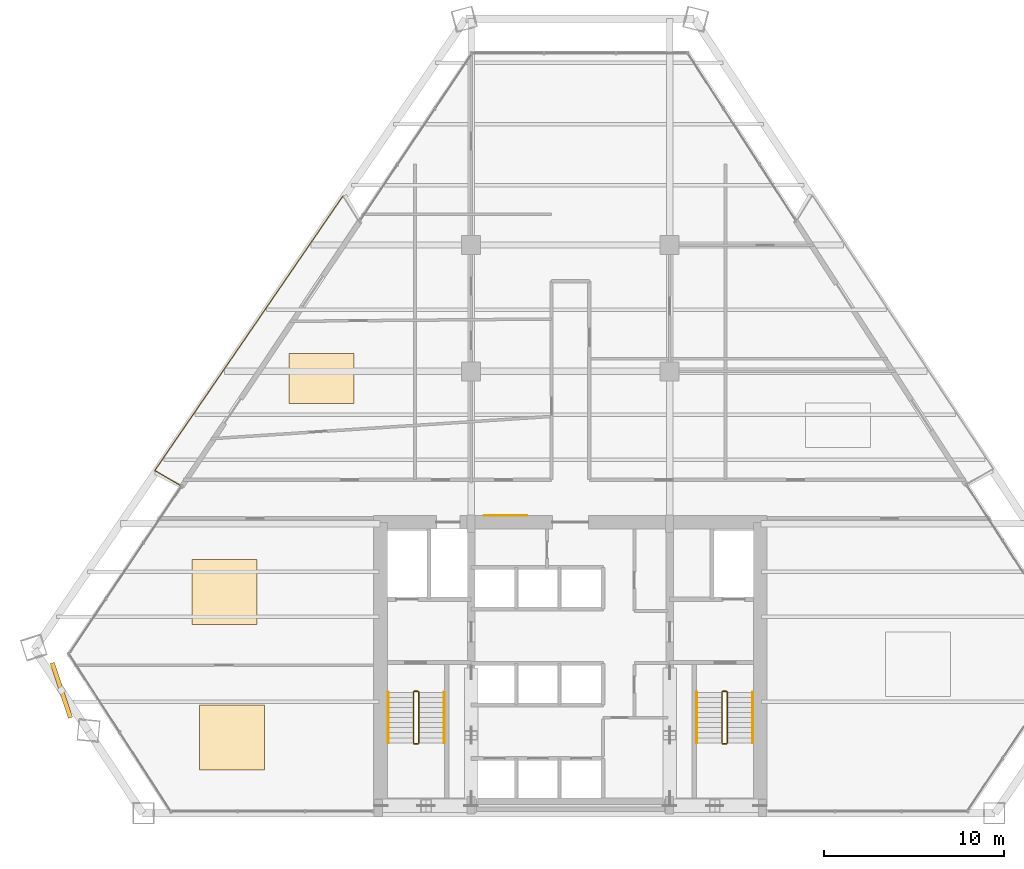
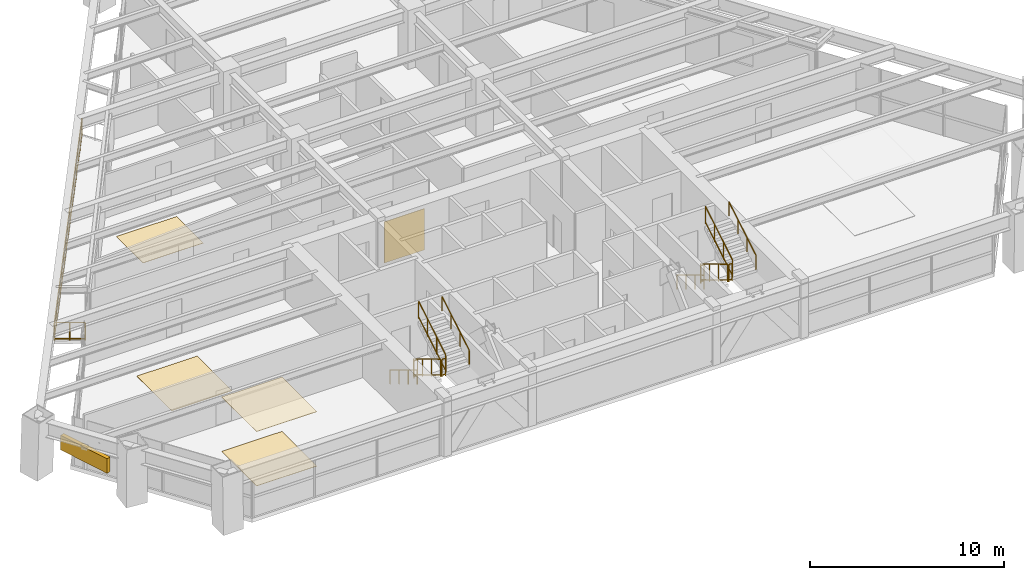
# One storey, part 13 of 14: 14 railings, 5 coverings, 1 shading device.
"""IFC4 building model written with IfcOpenShell, lengths in metres."""

from ifc_helpers import new_model, si_unit, direction, frame, origin, origin_2d, place, context, subcontext, project, spatial, rectangle, extrude, source, transform, mapped, material, layer, layer_set, type_object, type_shapes, element, save


model = new_model("IFC4")

# Units and contexts
model_context = context("Model", 3, precision=1e-05, world=origin(), true_north=direction((0.0, 1.0)))
body_context = subcontext(model_context, "Body", "Model", "MODEL_VIEW")
ifc_project = project(units=[si_unit("LENGTHUNIT", "METRE"), si_unit("AREAUNIT", "SQUARE_METRE"), si_unit("VOLUMEUNIT", "CUBIC_METRE"), si_unit("PLANEANGLEUNIT", "RADIAN"), si_unit("MASSUNIT", "GRAM", prefix="KILO")], contexts=[model_context])

# Site, building, storey
site_placement = place(None, origin())
site = spatial("IfcSite", under=ifc_project, at=site_placement, CompositionType="ELEMENT")
building_placement = place(site_placement, origin())
building = spatial("IfcBuilding", under=site, at=building_placement, Name="Varnakhor Terracotta Tower", CompositionType="ELEMENT")
storey_placement = place(building_placement, frame((0.0, 0.0, 98.800048828125)))
storey = spatial("IfcBuildingStorey", under=building, at=storey_placement, Name="L24", CompositionType="ELEMENT", Elevation=98.800048828125)

# Railings
ifc_material_1 = material(Name="Stainless Steel & Laminated Glass Guardrail", Category="steel")
railing_type_1 = type_object("IfcRailingType", Name="RLG-LOGGIA-GUARD-1150", PredefinedType="GUARDRAIL", material=ifc_material_1)
railing_1_placement = place(storey_placement, frame((-21.649658203125, 18.196044921875, 0.0)))
element("IfcRailing", 1, at=railing_1_placement, inside=storey, type_object=railing_type_1, Name="L24 W Loggia Glass Guard 1", PredefinedType="GUARDRAIL", context=body_context, shape_type="SweptSolid", body=[
    extrude(rectangle(XDim=0.048095703125, YDim=0.048095703125, at=origin_2d()), frame((0.0, 0.0, 1.1259765625), z_axis=(-0.863695972949, 0.504013160851, 0.0), x_axis=(-0.504013160851, -0.863695972949, 0.0)), (0.0, 0.0, 1.0), 1.601806640625),
    extrude(rectangle(XDim=0.048095703125, YDim=0.048095703125, at=origin_2d()), frame((0.0, 0.0, 0.10009765625), z_axis=(-0.863695972949, 0.504013160851, 0.0), x_axis=(-0.504013160851, -0.863695972949, 0.0)), (0.0, 0.0, 1.0), 1.601806640625),
    extrude(rectangle(XDim=0.0419921875, YDim=0.0419921875, at=origin_2d()), origin(), (0.0, 0.0, 1.0), 1.101806640625),
    extrude(rectangle(XDim=0.0419921875, YDim=0.0419921875, at=origin_2d()), frame((-0.69189453125, 0.40380859375, 0.0)), (0.0, 0.0, 1.0), 1.101806640625),
    extrude(rectangle(XDim=0.0419921875, YDim=0.0419921875, at=origin_2d()), frame((-1.383544921875, 0.807373046875, 0.0)), (0.0, 0.0, 1.0), 1.101806640625),
])
railing_2_placement = place(storey_placement, frame((-23.033203125, 19.00341796875, 0.0)))
element("IfcRailing", 2, at=railing_2_placement, inside=storey, type_object=railing_type_1, Name="L24 W Loggia Glass Guard 2", PredefinedType="GUARDRAIL", context=body_context, shape_type="SweptSolid", body=[
    extrude(rectangle(XDim=0.048095703125, YDim=0.048095703125, at=origin_2d()), frame((0.0, 0.0, 1.1259765625), z_axis=(0.565318177251, 0.824872934742, 0.0), x_axis=(-0.824872934742, 0.565318177251, 0.0)), (0.0, 0.0, 1.0), 18.444580078125),
    extrude(rectangle(XDim=0.048095703125, YDim=0.048095703125, at=origin_2d()), frame((0.0, 0.0, 0.10009765625), z_axis=(0.565318177251, 0.824872934742, 0.0), x_axis=(-0.824872934742, 0.565318177251, 0.0)), (0.0, 0.0, 1.0), 18.444580078125),
    extrude(rectangle(XDim=0.0419921875, YDim=0.0419921875, at=origin_2d()), origin(), (0.0, 0.0, 1.0), 1.101806640625),
    extrude(rectangle(XDim=0.0419921875, YDim=0.0419921875, at=origin_2d()), frame((0.744873046875, 1.086669921875, 0.0)), (0.0, 0.0, 1.0), 1.101806640625),
    extrude(rectangle(XDim=0.0419921875, YDim=0.0419921875, at=origin_2d()), frame((1.489501953125, 2.173583984375, 0.0)), (0.0, 0.0, 1.0), 1.101806640625),
    extrude(rectangle(XDim=0.0419921875, YDim=0.0419921875, at=origin_2d()), frame((2.234375, 3.26025390625, 0.0)), (0.0, 0.0, 1.0), 1.101806640625),
    extrude(rectangle(XDim=0.0419921875, YDim=0.0419921875, at=origin_2d()), frame((2.979248046875, 4.346923828125, 0.0)), (0.0, 0.0, 1.0), 1.101806640625),
    extrude(rectangle(XDim=0.0419921875, YDim=0.0419921875, at=origin_2d()), frame((3.723876953125, 5.43359375, 0.0)), (0.0, 0.0, 1.0), 1.101806640625),
    extrude(rectangle(XDim=0.0419921875, YDim=0.0419921875, at=origin_2d()), frame((4.46875, 6.5205078125, 0.0)), (0.0, 0.0, 1.0), 1.101806640625),
    extrude(rectangle(XDim=0.0419921875, YDim=0.0419921875, at=origin_2d()), frame((5.21337890625, 7.607177734375, 0.0)), (0.0, 0.0, 1.0), 1.101806640625),
    extrude(rectangle(XDim=0.0419921875, YDim=0.0419921875, at=origin_2d()), frame((5.958251953125, 8.69384765625, 0.0)), (0.0, 0.0, 1.0), 1.101806640625),
    extrude(rectangle(XDim=0.0419921875, YDim=0.0419921875, at=origin_2d()), frame((6.703125, 9.78076171875, 0.0)), (0.0, 0.0, 1.0), 1.101806640625),
    extrude(rectangle(XDim=0.0419921875, YDim=0.0419921875, at=origin_2d()), frame((7.44775390625, 10.867431640625, 0.0)), (0.0, 0.0, 1.0), 1.101806640625),
    extrude(rectangle(XDim=0.0419921875, YDim=0.0419921875, at=origin_2d()), frame((8.192626953125, 11.9541015625, 0.0)), (0.0, 0.0, 1.0), 1.101806640625),
    extrude(rectangle(XDim=0.0419921875, YDim=0.0419921875, at=origin_2d()), frame((8.9375, 13.040771484375, 0.0)), (0.0, 0.0, 1.0), 1.101806640625),
    extrude(rectangle(XDim=0.0419921875, YDim=0.0419921875, at=origin_2d()), frame((9.68212890625, 14.127685546875, 0.0)), (0.0, 0.0, 1.0), 1.101806640625),
    extrude(rectangle(XDim=0.0419921875, YDim=0.0419921875, at=origin_2d()), frame((10.427001953125, 15.21435546875, 0.0)), (0.0, 0.0, 1.0), 1.101806640625),
])
ifc_material_2 = material(Name="Painted Steel Stairwell Guardrail", Category="steel")
railing_type_2 = type_object("IfcRailingType", Name="RLG-STAIR-GUARD-1120", PredefinedType="GUARDRAIL", material=ifc_material_2)
railing_3_placement = place(storey_placement, frame((-8.699951171875, 6.7099609375, 0.168212890625)))
element("IfcRailing", 3, at=railing_3_placement, inside=storey, type_object=railing_type_2, Name="L24 ST-1 stair guard 1", PredefinedType="GUARDRAIL", context=body_context, shape_type="SweptSolid", body=[
    extrude(rectangle(XDim=0.048095703125, YDim=0.048095703125, at=origin_2d()), frame((0.0, 0.0, 1.09619140625), z_axis=(0.0, -0.857275202839, 0.514858452973), x_axis=(1.0, 0.0, 0.0)), (0.0, 0.0, 1.0), 3.26611328125),
    extrude(rectangle(XDim=0.048095703125, YDim=0.048095703125, at=origin_2d()), frame((0.0, 0.0, 0.10009765625), z_axis=(0.0, -0.857275202839, 0.514858452973), x_axis=(1.0, 0.0, 0.0)), (0.0, 0.0, 1.0), 3.26611328125),
    extrude(rectangle(XDim=0.0419921875, YDim=0.0419921875, at=origin_2d()), origin(), (0.0, 0.0, 1.0), 1.072021484375),
    extrude(rectangle(XDim=0.0419921875, YDim=0.0419921875, at=origin_2d()), frame((0.0, -0.933349609375, 0.560546875)), (0.0, 0.0, 1.0), 1.072021484375),
    extrude(rectangle(XDim=0.0419921875, YDim=0.0419921875, at=origin_2d()), frame((0.0, -1.86669921875, 1.12109375)), (0.0, 0.0, 1.0), 1.072021484375),
    extrude(rectangle(XDim=0.0419921875, YDim=0.0419921875, at=origin_2d()), frame((0.0, -2.800048828125, 1.681640625)), (0.0, 0.0, 1.0), 1.072021484375),
])
railing_4_placement = place(storey_placement, frame((-8.64990234375, 3.860107421875, 1.849853515625)))
element("IfcRailing", 4, at=railing_4_placement, inside=storey, type_object=railing_type_2, Name="L24 ST-1 stair guard 2", PredefinedType="GUARDRAIL", context=body_context, shape_type="SweptSolid", body=[
    extrude(rectangle(XDim=0.048095703125, YDim=0.048095703125, at=origin_2d()), frame((0.0, 0.0, 1.09619140625), z_axis=(1.0, 0.0, 0.0), x_axis=(0.0, 1.0, 0.0)), (0.0, 0.0, 1.0), 0.199951171875),
    extrude(rectangle(XDim=0.048095703125, YDim=0.048095703125, at=origin_2d()), frame((0.0, 0.0, 0.10009765625), z_axis=(1.0, 0.0, 0.0), x_axis=(0.0, 1.0, 0.0)), (0.0, 0.0, 1.0), 0.199951171875),
    extrude(rectangle(XDim=0.0419921875, YDim=0.0419921875, at=origin_2d()), origin(), (0.0, 0.0, 1.0), 1.072021484375),
    extrude(rectangle(XDim=0.0419921875, YDim=0.0419921875, at=origin_2d()), frame((0.199951171875, 0.0, 0.0)), (0.0, 0.0, 1.0), 1.072021484375),
])
railing_5_placement = place(storey_placement, frame((-8.39990234375, 3.909912109375, 2.01806640625)))
element("IfcRailing", 5, at=railing_5_placement, inside=storey, type_object=railing_type_2, Name="L24 ST-1 stair guard 3", PredefinedType="GUARDRAIL", context=body_context, shape_type="SweptSolid", body=[
    extrude(rectangle(XDim=0.048095703125, YDim=0.048095703125, at=origin_2d()), frame((0.0, 0.0, 1.09619140625), z_axis=(0.0, 0.857242210791, 0.514913383045), x_axis=(-1.0, 0.0, 0.0)), (0.0, 0.0, 1.0), 3.266357421875),
    extrude(rectangle(XDim=0.048095703125, YDim=0.048095703125, at=origin_2d()), frame((0.0, 0.0, 0.10009765625), z_axis=(0.0, 0.857242210791, 0.514913383045), x_axis=(-1.0, 0.0, 0.0)), (0.0, 0.0, 1.0), 3.266357421875),
    extrude(rectangle(XDim=0.0419921875, YDim=0.0419921875, at=origin_2d()), origin(), (0.0, 0.0, 1.0), 1.072021484375),
    extrude(rectangle(XDim=0.0419921875, YDim=0.0419921875, at=origin_2d()), frame((0.0, 0.933349609375, 0.560546875)), (0.0, 0.0, 1.0), 1.072021484375),
    extrude(rectangle(XDim=0.0419921875, YDim=0.0419921875, at=origin_2d()), frame((0.0, 1.86669921875, 1.121337890625)), (0.0, 0.0, 1.0), 1.072021484375),
    extrude(rectangle(XDim=0.0419921875, YDim=0.0419921875, at=origin_2d()), frame((0.0, 2.800048828125, 1.681884765625)), (0.0, 0.0, 1.0), 1.072021484375),
])
railing_6_placement = place(storey_placement, frame((-8.64990234375, 6.760009765625, 0.0)))
element("IfcRailing", 6, at=railing_6_placement, inside=storey, type_object=railing_type_2, Name="L24 ST-1 stair guard 4", PredefinedType="GUARDRAIL", context=body_context, shape_type="SweptSolid", body=[
    extrude(rectangle(XDim=0.048095703125, YDim=0.048095703125, at=origin_2d()), frame((0.0, 0.0, 1.09619140625), z_axis=(1.0, 0.0, 0.0), x_axis=(0.0, 1.0, 0.0)), (0.0, 0.0, 1.0), 0.199951171875),
    extrude(rectangle(XDim=0.048095703125, YDim=0.048095703125, at=origin_2d()), frame((0.0, 0.0, 0.10009765625), z_axis=(1.0, 0.0, 0.0), x_axis=(0.0, 1.0, 0.0)), (0.0, 0.0, 1.0), 0.199951171875),
    extrude(rectangle(XDim=0.0419921875, YDim=0.0419921875, at=origin_2d()), origin(), (0.0, 0.0, 1.0), 1.072021484375),
    extrude(rectangle(XDim=0.0419921875, YDim=0.0419921875, at=origin_2d()), frame((0.199951171875, 0.0, 0.0)), (0.0, 0.0, 1.0), 1.072021484375),
])
railing_7_placement = place(storey_placement, frame((8.39990234375, 6.7099609375, 0.168212890625)))
element("IfcRailing", 7, at=railing_7_placement, inside=storey, type_object=railing_type_2, Name="L24 ST-2 stair guard 1", PredefinedType="GUARDRAIL", context=body_context, shape_type="SweptSolid", body=[
    extrude(rectangle(XDim=0.048095703125, YDim=0.048095703125, at=origin_2d()), frame((0.0, 0.0, 1.09619140625), z_axis=(0.0, -0.857275202839, 0.514858452973), x_axis=(1.0, 0.0, 0.0)), (0.0, 0.0, 1.0), 3.26611328125),
    extrude(rectangle(XDim=0.048095703125, YDim=0.048095703125, at=origin_2d()), frame((0.0, 0.0, 0.10009765625), z_axis=(0.0, -0.857275202839, 0.514858452973), x_axis=(1.0, 0.0, 0.0)), (0.0, 0.0, 1.0), 3.26611328125),
    extrude(rectangle(XDim=0.0419921875, YDim=0.0419921875, at=origin_2d()), origin(), (0.0, 0.0, 1.0), 1.072021484375),
    extrude(rectangle(XDim=0.0419921875, YDim=0.0419921875, at=origin_2d()), frame((0.0, -0.933349609375, 0.560546875)), (0.0, 0.0, 1.0), 1.072021484375),
    extrude(rectangle(XDim=0.0419921875, YDim=0.0419921875, at=origin_2d()), frame((0.0, -1.86669921875, 1.12109375)), (0.0, 0.0, 1.0), 1.072021484375),
    extrude(rectangle(XDim=0.0419921875, YDim=0.0419921875, at=origin_2d()), frame((0.0, -2.800048828125, 1.681640625)), (0.0, 0.0, 1.0), 1.072021484375),
])
railing_8_placement = place(storey_placement, frame((8.449951171875, 3.860107421875, 1.849853515625)))
element("IfcRailing", 8, at=railing_8_placement, inside=storey, type_object=railing_type_2, Name="L24 ST-2 stair guard 2", PredefinedType="GUARDRAIL", context=body_context, shape_type="SweptSolid", body=[
    extrude(rectangle(XDim=0.048095703125, YDim=0.048095703125, at=origin_2d()), frame((0.0, 0.0, 1.09619140625), z_axis=(1.0, 0.0, 0.0), x_axis=(0.0, 1.0, 0.0)), (0.0, 0.0, 1.0), 0.199951171875),
    extrude(rectangle(XDim=0.048095703125, YDim=0.048095703125, at=origin_2d()), frame((0.0, 0.0, 0.10009765625), z_axis=(1.0, 0.0, 0.0), x_axis=(0.0, 1.0, 0.0)), (0.0, 0.0, 1.0), 0.199951171875),
    extrude(rectangle(XDim=0.0419921875, YDim=0.0419921875, at=origin_2d()), origin(), (0.0, 0.0, 1.0), 1.072021484375),
    extrude(rectangle(XDim=0.0419921875, YDim=0.0419921875, at=origin_2d()), frame((0.199951171875, 0.0, 0.0)), (0.0, 0.0, 1.0), 1.072021484375),
])
railing_9_placement = place(storey_placement, frame((8.699951171875, 3.909912109375, 2.01806640625)))
element("IfcRailing", 9, at=railing_9_placement, inside=storey, type_object=railing_type_2, Name="L24 ST-2 stair guard 3", PredefinedType="GUARDRAIL", context=body_context, shape_type="SweptSolid", body=[
    extrude(rectangle(XDim=0.048095703125, YDim=0.048095703125, at=origin_2d()), frame((0.0, 0.0, 1.09619140625), z_axis=(0.0, 0.857242210791, 0.514913383045), x_axis=(-1.0, 0.0, 0.0)), (0.0, 0.0, 1.0), 3.266357421875),
    extrude(rectangle(XDim=0.048095703125, YDim=0.048095703125, at=origin_2d()), frame((0.0, 0.0, 0.10009765625), z_axis=(0.0, 0.857242210791, 0.514913383045), x_axis=(-1.0, 0.0, 0.0)), (0.0, 0.0, 1.0), 3.266357421875),
    extrude(rectangle(XDim=0.0419921875, YDim=0.0419921875, at=origin_2d()), origin(), (0.0, 0.0, 1.0), 1.072021484375),
    extrude(rectangle(XDim=0.0419921875, YDim=0.0419921875, at=origin_2d()), frame((0.0, 0.933349609375, 0.560546875)), (0.0, 0.0, 1.0), 1.072021484375),
    extrude(rectangle(XDim=0.0419921875, YDim=0.0419921875, at=origin_2d()), frame((0.0, 1.86669921875, 1.121337890625)), (0.0, 0.0, 1.0), 1.072021484375),
    extrude(rectangle(XDim=0.0419921875, YDim=0.0419921875, at=origin_2d()), frame((0.0, 2.800048828125, 1.681884765625)), (0.0, 0.0, 1.0), 1.072021484375),
])
railing_10_placement = place(storey_placement, frame((8.449951171875, 6.760009765625, 0.0)))
element("IfcRailing", 10, at=railing_10_placement, inside=storey, type_object=railing_type_2, Name="L24 ST-2 stair guard 4", PredefinedType="GUARDRAIL", context=body_context, shape_type="SweptSolid", body=[
    extrude(rectangle(XDim=0.048095703125, YDim=0.048095703125, at=origin_2d()), frame((0.0, 0.0, 1.09619140625), z_axis=(1.0, 0.0, 0.0), x_axis=(0.0, 1.0, 0.0)), (0.0, 0.0, 1.0), 0.199951171875),
    extrude(rectangle(XDim=0.048095703125, YDim=0.048095703125, at=origin_2d()), frame((0.0, 0.0, 0.10009765625), z_axis=(1.0, 0.0, 0.0), x_axis=(0.0, 1.0, 0.0)), (0.0, 0.0, 1.0), 0.199951171875),
    extrude(rectangle(XDim=0.0419921875, YDim=0.0419921875, at=origin_2d()), origin(), (0.0, 0.0, 1.0), 1.072021484375),
    extrude(rectangle(XDim=0.0419921875, YDim=0.0419921875, at=origin_2d()), frame((0.199951171875, 0.0, 0.0)), (0.0, 0.0, 1.0), 1.072021484375),
])
ifc_material_3 = material(Name="Brushed Stainless Steel Handrail", Category="steel")
railing_type_3 = type_object("IfcRailingType", Name="RLG-STAIR-HANDRAIL-920", PredefinedType="HANDRAIL", material=ifc_material_3)
railing_11_placement = place(storey_placement, frame((-10.10009765625, 6.7099609375, 0.168212890625)))
element("IfcRailing", 11, at=railing_11_placement, inside=storey, type_object=railing_type_3, Name="L24 ST-1 stair handrail 1", PredefinedType="HANDRAIL", context=body_context, shape_type="SweptSolid", body=[
    extrude(rectangle(XDim=0.048095703125, YDim=0.048095703125, at=origin_2d()), frame((0.0, 0.0, 0.89599609375), z_axis=(0.0, -0.857275202839, 0.514858452973), x_axis=(1.0, 0.0, 0.0)), (0.0, 0.0, 1.0), 3.26611328125),
    extrude(rectangle(XDim=0.0419921875, YDim=0.0419921875, at=origin_2d()), origin(), (0.0, 0.0, 1.0), 0.871826171875),
    extrude(rectangle(XDim=0.0419921875, YDim=0.0419921875, at=origin_2d()), frame((0.0, -0.933349609375, 0.560546875)), (0.0, 0.0, 1.0), 0.871826171875),
    extrude(rectangle(XDim=0.0419921875, YDim=0.0419921875, at=origin_2d()), frame((0.0, -1.86669921875, 1.12109375)), (0.0, 0.0, 1.0), 0.871826171875),
    extrude(rectangle(XDim=0.0419921875, YDim=0.0419921875, at=origin_2d()), frame((0.0, -2.800048828125, 1.681640625)), (0.0, 0.0, 1.0), 0.871826171875),
])
railing_12_placement = place(storey_placement, frame((-7.0, 3.909912109375, 2.01806640625)))
element("IfcRailing", 12, at=railing_12_placement, inside=storey, type_object=railing_type_3, Name="L24 ST-1 stair handrail 2", PredefinedType="HANDRAIL", context=body_context, shape_type="SweptSolid", body=[
    extrude(rectangle(XDim=0.048095703125, YDim=0.048095703125, at=origin_2d()), frame((0.0, 0.0, 0.89599609375), z_axis=(0.0, 0.857242210791, 0.514913383045), x_axis=(-1.0, 0.0, 0.0)), (0.0, 0.0, 1.0), 3.266357421875),
    extrude(rectangle(XDim=0.0419921875, YDim=0.0419921875, at=origin_2d()), origin(), (0.0, 0.0, 1.0), 0.871826171875),
    extrude(rectangle(XDim=0.0419921875, YDim=0.0419921875, at=origin_2d()), frame((0.0, 0.933349609375, 0.560546875)), (0.0, 0.0, 1.0), 0.871826171875),
    extrude(rectangle(XDim=0.0419921875, YDim=0.0419921875, at=origin_2d()), frame((0.0, 1.86669921875, 1.121337890625)), (0.0, 0.0, 1.0), 0.871826171875),
    extrude(rectangle(XDim=0.0419921875, YDim=0.0419921875, at=origin_2d()), frame((0.0, 2.800048828125, 1.681884765625)), (0.0, 0.0, 1.0), 0.871826171875),
])
railing_13_placement = place(storey_placement, frame((7.0, 6.7099609375, 0.168212890625)))
element("IfcRailing", 13, at=railing_13_placement, inside=storey, type_object=railing_type_3, Name="L24 ST-2 stair handrail 1", PredefinedType="HANDRAIL", context=body_context, shape_type="SweptSolid", body=[
    extrude(rectangle(XDim=0.048095703125, YDim=0.048095703125, at=origin_2d()), frame((0.0, 0.0, 0.89599609375), z_axis=(0.0, -0.857275202839, 0.514858452973), x_axis=(1.0, 0.0, 0.0)), (0.0, 0.0, 1.0), 3.26611328125),
    extrude(rectangle(XDim=0.0419921875, YDim=0.0419921875, at=origin_2d()), origin(), (0.0, 0.0, 1.0), 0.871826171875),
    extrude(rectangle(XDim=0.0419921875, YDim=0.0419921875, at=origin_2d()), frame((0.0, -0.933349609375, 0.560546875)), (0.0, 0.0, 1.0), 0.871826171875),
    extrude(rectangle(XDim=0.0419921875, YDim=0.0419921875, at=origin_2d()), frame((0.0, -1.86669921875, 1.12109375)), (0.0, 0.0, 1.0), 0.871826171875),
    extrude(rectangle(XDim=0.0419921875, YDim=0.0419921875, at=origin_2d()), frame((0.0, -2.800048828125, 1.681640625)), (0.0, 0.0, 1.0), 0.871826171875),
])
railing_14_placement = place(storey_placement, frame((10.10009765625, 3.909912109375, 2.01806640625)))
element("IfcRailing", 14, at=railing_14_placement, inside=storey, type_object=railing_type_3, Name="L24 ST-2 stair handrail 2", PredefinedType="HANDRAIL", context=body_context, shape_type="SweptSolid", body=[
    extrude(rectangle(XDim=0.048095703125, YDim=0.048095703125, at=origin_2d()), frame((0.0, 0.0, 0.89599609375), z_axis=(0.0, 0.857242210791, 0.514913383045), x_axis=(-1.0, 0.0, 0.0)), (0.0, 0.0, 1.0), 3.266357421875),
    extrude(rectangle(XDim=0.0419921875, YDim=0.0419921875, at=origin_2d()), origin(), (0.0, 0.0, 1.0), 0.871826171875),
    extrude(rectangle(XDim=0.0419921875, YDim=0.0419921875, at=origin_2d()), frame((0.0, 0.933349609375, 0.560546875)), (0.0, 0.0, 1.0), 0.871826171875),
    extrude(rectangle(XDim=0.0419921875, YDim=0.0419921875, at=origin_2d()), frame((0.0, 1.86669921875, 1.121337890625)), (0.0, 0.0, 1.0), 0.871826171875),
    extrude(rectangle(XDim=0.0419921875, YDim=0.0419921875, at=origin_2d()), frame((0.0, 2.800048828125, 1.681884765625)), (0.0, 0.0, 1.0), 0.871826171875),
])

# Shading device
ifc_material_4 = material(Name="Extruded Architectural Terracotta Screen", Category="masonry")
shading_device_type = type_object("IfcShadingDeviceType", Name="TERRACOTTA SOLAR SCREEN W", PredefinedType="USERDEFINED", material=ifc_material_4)
shared_shape_1 = source(origin(), body_context, "Body", "SweptSolid", [
    extrude(rectangle(XDim=3.199951171875, YDim=0.239990234375, at=origin_2d()), origin(), (0.0, 0.0, 1.0), 0.919921875),
])
type_shapes(shading_device_type, [shared_shape_1])
shading_device_placement = place(storey_placement, frame((-28.209716796875, 6.81640625, 1.617919921875), z_axis=(0.0, 0.0, 1.0), x_axis=(0.316096149169, -0.948727160189, 0.0)))
element("IfcShadingDevice", 15, at=shading_device_placement, inside=storey, type_object=shading_device_type, Name="L24 W Terracotta Solar Screen", ObjectType="SCREEN", PredefinedType="USERDEFINED", context=body_context, shape_type="MappedRepresentation", body=[
    mapped(shared_shape_1, transform((0.0, 0.0, 0.0), scale=1.0)),
])

# Coverings
ifc_material_5 = material(Name="Extruded Architectural Terracotta Cladding", Category="masonry")
ifc_layer_1 = layer(ifc_material_5, 0.044921875, Name="Extruded Architectural Terracotta Cladding")
ifc_layer_set_1 = layer_set([ifc_layer_1], Name="Extruded Architectural Terracotta Cladding")
covering_type_1 = type_object("IfcCoveringType", Name="COV-CLAD-TERRACOTTA", PredefinedType="CLADDING", material=ifc_layer_set_1)
shared_shape_2 = source(origin(), body_context, "Body", "SweptSolid", [
    extrude(rectangle(XDim=2.39990234375, YDim=0.030029296875, at=origin_2d()), origin(), (0.0, 0.0, 1.0), 2.60009765625),
])
type_shapes(covering_type_1, [shared_shape_2])
covering_1_placement = place(storey_placement, frame((-3.60009765625, 16.511962890625, 0.0), z_axis=(0.0, 0.0, 1.0), x_axis=(1.0, 0.0, 0.0)))
element("IfcCovering", 16, at=covering_1_placement, inside=storey, type_object=covering_type_1, Name="L24 Core Lobby Limestone Cladding", PredefinedType="CLADDING", context=body_context, shape_type="MappedRepresentation", body=[
    mapped(shared_shape_2, transform((0.0, 0.0, 0.0), scale=1.0)),
])
ifc_material_6 = material(Name="Honed Riyadh Limestone Flooring", Category="masonry")
ifc_layer_2 = layer(ifc_material_6, 0.030029296875, Name="Honed Riyadh Limestone Flooring")
ifc_layer_set_2 = layer_set([ifc_layer_2], Name="Honed Riyadh Limestone Flooring")
covering_type_2 = type_object("IfcCoveringType", Name="COV-FLOOR-LIMESTONE", PredefinedType="FLOORING", material=ifc_layer_set_2)
shared_shape_3 = source(origin(), body_context, "Body", "SweptSolid", [
    extrude(rectangle(XDim=3.60009765625, YDim=3.60009765625, at=origin_2d()), origin(), (0.0, 0.0, 1.0), 0.02001953125),
])
covering_2_placement = place(storey_placement, frame((-19.160888671875, 12.263916015625, 0.0), z_axis=(0.0, 0.0, 1.0), x_axis=(1.0, 0.0, 0.0)))
element("IfcCovering", 17, at=covering_2_placement, inside=storey, type_object=covering_type_2, Name="L24 Honed Stone Flooring 3", PredefinedType="FLOORING", context=body_context, shape_type="MappedRepresentation", body=[
    mapped(shared_shape_3, transform((0.0, 0.0, 0.0), scale=1.0)),
])
shared_shape_4 = source(origin(), body_context, "Body", "SweptSolid", [
    extrude(rectangle(XDim=3.60009765625, YDim=3.59912109375, at=origin_2d()), origin(), (0.0, 0.0, 1.0), 0.02001953125),
])
covering_3_placement = place(storey_placement, frame((-18.7529296875, 4.201904296875, 0.0), z_axis=(0.0, 0.0, 1.0), x_axis=(1.0, 0.0, 0.0)))
element("IfcCovering", 18, at=covering_3_placement, inside=storey, type_object=covering_type_2, Name="L24 Honed Stone Flooring 1", PredefinedType="FLOORING", context=body_context, shape_type="MappedRepresentation", body=[
    mapped(shared_shape_4, transform((0.0, 0.0, 0.0), scale=1.0)),
])
ifc_material_7 = material(Name="Perforated Acoustic Mineral-Fibre Ceiling", Category="gypsum")
ifc_layer_3 = layer(ifc_material_7, 0.02490234375, Name="Perforated Acoustic Mineral-Fibre Ceiling")
ifc_layer_set_3 = layer_set([ifc_layer_3], Name="Perforated Acoustic Mineral-Fibre Ceiling")
covering_type_3 = type_object("IfcCoveringType", Name="COV-CEILING-ACOUSTIC", PredefinedType="CEILING", material=ifc_layer_set_3)
shared_shape_5 = source(origin(), body_context, "Body", "SweptSolid", [
    extrude(rectangle(XDim=3.60009765625, YDim=3.59912109375, at=origin_2d()), origin(), (0.0, 0.0, 1.0), 0.02392578125),
])
covering_4_placement = place(storey_placement, frame((-18.7529296875, 4.201904296875, 3.426025390625), z_axis=(0.0, 0.0, 1.0), x_axis=(1.0, 0.0, 0.0)))
element("IfcCovering", 19, at=covering_4_placement, inside=storey, type_object=covering_type_3, Name="L24 Acoustic Ceiling Panel 1", PredefinedType="CEILING", context=body_context, shape_type="MappedRepresentation", body=[
    mapped(shared_shape_5, transform((0.0, 0.0, 0.0), scale=1.0)),
])
shared_shape_6 = source(origin(), body_context, "Body", "SweptSolid", [
    extrude(rectangle(XDim=3.60009765625, YDim=2.75, at=origin_2d()), origin(), (0.0, 0.0, 1.0), 0.02001953125),
])
covering_5_placement = place(storey_placement, frame((-13.7919921875, 24.10009765625, 0.0), z_axis=(0.0, 0.0, 1.0), x_axis=(1.0, 0.0, 0.0)))
element("IfcCovering", 20, at=covering_5_placement, inside=storey, type_object=covering_type_2, Name="L24 Honed Stone Flooring 5", PredefinedType="FLOORING", context=body_context, shape_type="MappedRepresentation", body=[
    mapped(shared_shape_6, transform((0.0, 0.0, 0.0), scale=1.0)),
])

save(model, "model.ifc")
